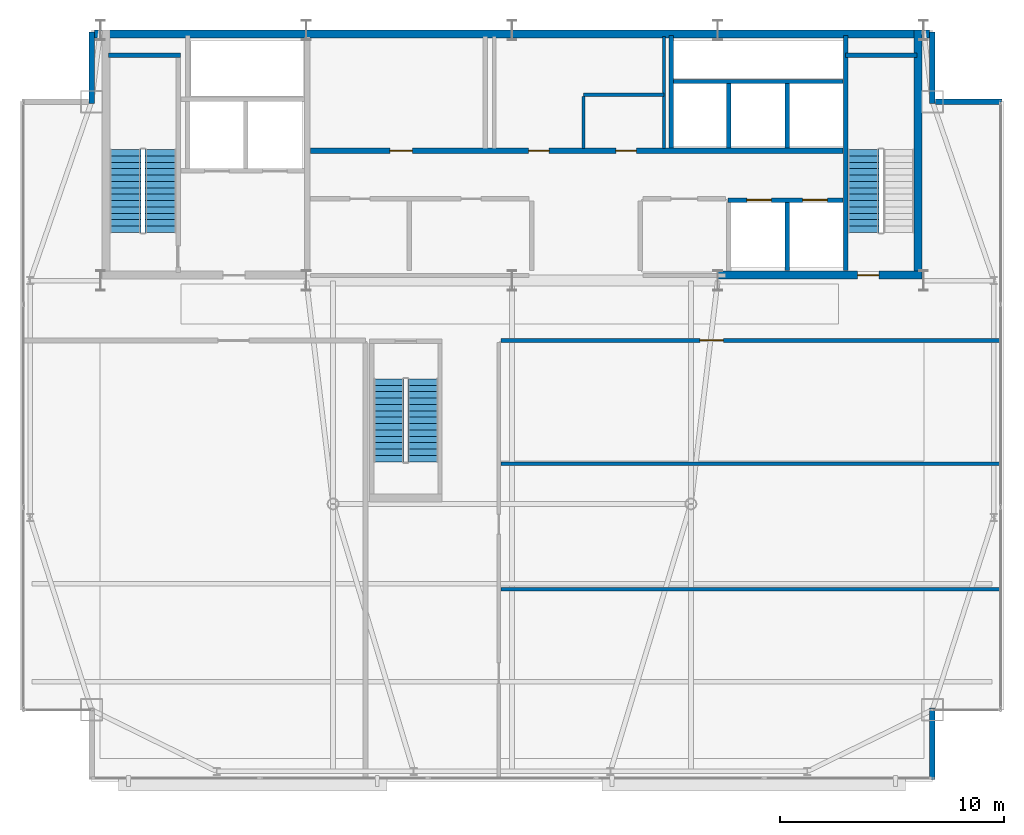
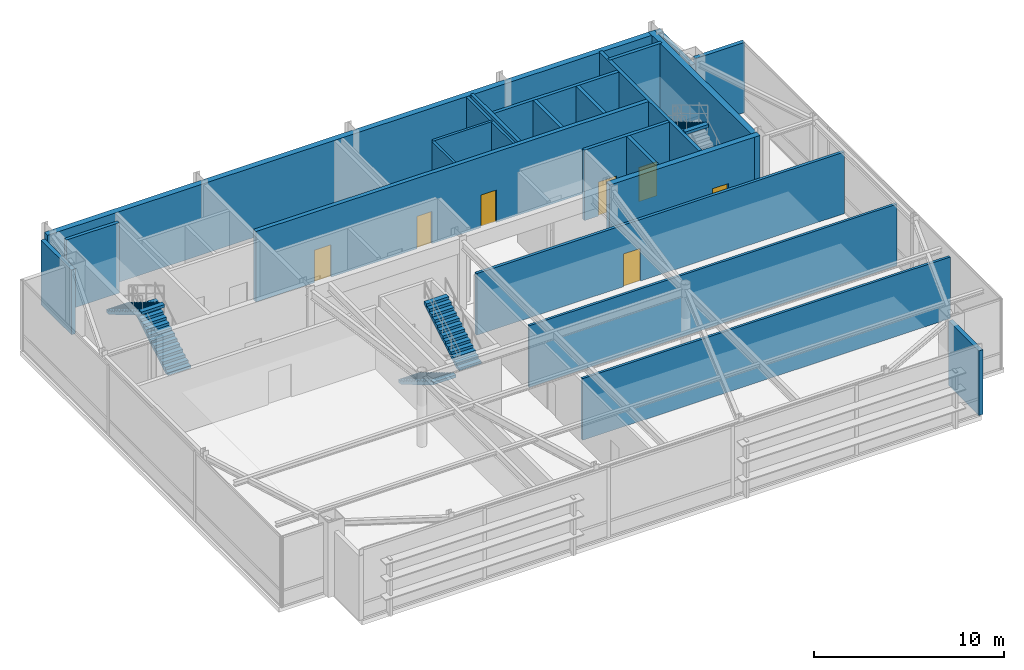
# One storey, part 19 of 21: 23 walls, 7 doors, 5 stair flights, 7 openings, 3 elements without a shape of their own.
"""IFC4 building model written with IfcOpenShell, lengths in metres."""

from ifc_helpers import new_model, si_unit, direction, frame, frame_2d, origin, place, context, subcontext, project, spatial, polyline, rectangle, outline, extrude, source, transform, mapped, material, layer, layer_set, type_object, type_shapes, element, fill, aggregate, save


model = new_model("IFC4")

# Units and contexts
model_context = context("Model", 3, precision=1e-05, world=origin(), true_north=direction((0.0, 1.0)))
body_context = subcontext(model_context, "Body", "Model", "MODEL_VIEW")
ifc_project = project(units=[si_unit("LENGTHUNIT", "METRE"), si_unit("AREAUNIT", "SQUARE_METRE"), si_unit("VOLUMEUNIT", "CUBIC_METRE"), si_unit("PLANEANGLEUNIT", "RADIAN"), si_unit("MASSUNIT", "GRAM", prefix="KILO")], contexts=[model_context])

# Site, building, storey
site_placement = place(None, origin())
site = spatial("IfcSite", under=ifc_project, at=site_placement, CompositionType="ELEMENT")
building_placement = place(site_placement, origin())
building = spatial("IfcBuilding", under=site, at=building_placement, Name="Varnel Quay Broadcast Tower", CompositionType="ELEMENT")
storey_placement = place(building_placement, frame((0.0, 0.0, 300.199951171875)))
storey = spatial("IfcBuildingStorey", under=building, at=storey_placement, Name="L75", CompositionType="ELEMENT", Elevation=300.199951171875)

# Walls
ifc_material_1 = material(Name="Concrete CSA A23.3 C50/60", Category="concrete")
ifc_layer_1 = layer(ifc_material_1, 0.199951171875, Name="Concrete CSA A23.3 C50/60")
ifc_layer_set_1 = layer_set([ifc_layer_1], Name="Concrete CSA A23.3 C50/60")
wall_type_1 = type_object("IfcWallType", Name="Wall_CoreShaftShear200", PredefinedType="SHEAR", material=ifc_layer_set_1)
wall_1_placement = place(storey_placement, frame((15.949951171875, 45.679931640625, 0.0), z_axis=(0.0, 0.0, 1.0), x_axis=(1.0, 0.0, 0.0)))
element("IfcWall", 1, at=wall_1_placement, inside=storey, type_object=wall_type_1, Name="L75 Stair 1 North Structural Wall", PredefinedType="SHEAR", context=body_context, shape_type="SweptSolid", body=[
    extrude(rectangle(XDim=3.22998046875, YDim=0.199951171875, at=frame_2d((1.614990234375, 0.0))), origin(), (0.0, 0.0, 1.0), 4.52001953125),
])
wall_2_placement = place(storey_placement, frame((48.919921875, 36.050048828125, 0.0), z_axis=(0.0, 0.0, 1.0), x_axis=(0.0, 1.0, 0.0)))
element("IfcWall", 2, at=wall_2_placement, inside=storey, type_object=wall_type_1, Name="L75 Stair 2 West Structural Wall", PredefinedType="SHEAR", context=body_context, shape_type="SweptSolid", body=[
    extrude(rectangle(XDim=10.5, YDim=0.199951171875, at=frame_2d((5.25, 0.0))), origin(), (0.0, 0.0, 1.0), 4.52001953125),
])
wall_3_placement = place(storey_placement, frame((48.919921875, 45.679931640625, 0.0), z_axis=(0.0, 0.0, 1.0), x_axis=(1.0, 0.0, 0.0)))
element("IfcWall", 3, at=wall_3_placement, inside=storey, type_object=wall_type_1, Name="L75 Stair 2 North Structural Wall", PredefinedType="SHEAR", context=body_context, shape_type="SweptSolid", body=[
    extrude(rectangle(XDim=3.18017578125, YDim=0.199951171875, at=frame_2d((1.590087890625, 0.0))), origin(), (0.0, 0.0, 1.0), 4.52001953125),
])
wall_4_placement = place(storey_placement, frame((41.219970703125, 44.5, 0.0), z_axis=(0.0, 0.0, 1.0), x_axis=(1.0, 0.0, 0.0)))
element("IfcWall", 4, at=wall_4_placement, inside=storey, type_object=wall_type_1, Name="L75 High-Rise Lift Shaft Rear Wall", PredefinedType="SHEAR", context=body_context, shape_type="SweptSolid", body=[
    extrude(rectangle(XDim=7.580078125, YDim=0.199951171875, at=frame_2d((3.7900390625, 0.0))), origin(), (0.0, 0.0, 1.0), 4.52001953125),
])
wall_5_placement = place(storey_placement, frame((41.1201171875, 41.530029296875, 0.0), z_axis=(0.0, 0.0, 1.0), x_axis=(0.0, 1.0, 0.0)))
element("IfcWall", 5, at=wall_5_placement, inside=storey, type_object=wall_type_1, Name="L75 High-Rise Lift Shaft Divider 1", PredefinedType="SHEAR", context=body_context, shape_type="SweptSolid", body=[
    extrude(rectangle(XDim=5.02001953125, YDim=0.199951171875, at=frame_2d((2.510009765625, 0.0))), origin(), (0.0, 0.0, 1.0), 4.52001953125),
])
for number, where, z_axis, x_axis, name in (
    (6, (43.699951171875, 41.530029296875, 0.0), (0.0, 0.0, 1.0), (0.0, 1.0, 0.0), "L75 High-Rise Lift Shaft Divider 2"),
    (7, (46.300048828125, 41.530029296875, 0.0), (0.0, 0.0, 1.0), (0.0, 1.0, 0.0), "L75 High-Rise Lift Shaft Divider 3"),
):
    element("IfcWall", number, at=place(storey_placement, frame(where, z_axis=z_axis, x_axis=x_axis)), inside=storey, type_object=wall_type_1, Name=name, PredefinedType="SHEAR", context=body_context, shape_type="SweptSolid", body=[
        extrude(rectangle(XDim=2.869873046875, YDim=0.199951171875, at=frame_2d((1.43505859375, 0.0))), origin(), (0.0, 0.0, 1.0), 4.52001953125),
    ])
wall_6_placement = place(storey_placement, frame((46.300048828125, 36.050048828125, 0.0), z_axis=(0.0, 0.0, 1.0), x_axis=(0.0, 1.0, 0.0)))
element("IfcWall", 8, at=wall_6_placement, inside=storey, type_object=wall_type_1, Name="L75 Express Lift Shaft Divider", PredefinedType="SHEAR", context=body_context, shape_type="SweptSolid", body=[
    extrude(rectangle(XDim=3.050048828125, YDim=0.199951171875, at=frame_2d((1.52490234375, 0.0))), origin(), (0.0, 0.0, 1.0), 4.52001953125),
])

# Wall, openings, doors
wall_7_placement = place(storey_placement, frame((43.64990234375, 39.199951171875, 0.0), z_axis=(0.0, 0.0, 1.0), x_axis=(1.0, 0.0, 0.0)))
wall_7 = element("IfcWall", 9, at=wall_7_placement, inside=storey, type_object=wall_type_1, Name="L75 Express Lift Shaft North Front Wall", PredefinedType="SHEAR", context=body_context, shape_type="SweptSolid", body=[
    extrude(rectangle(XDim=5.150146484375, YDim=0.199951171875, at=frame_2d((2.5751953125, 0.0))), origin(), (0.0, 0.0, 1.0), 4.52001953125),
])
opening_1_placement = place(wall_7_placement, frame((0.85009765625, 0.0, 0.0)))
opening_1 = element("IfcOpeningElement", 10, at=opening_1_placement, cuts=wall_7, Name="Opening LD-L75-PO1", PredefinedType="OPENING", context=body_context, shape_type="SweptSolid", body=[
    extrude(rectangle(XDim=1.10009765625, YDim=2.179931640625, at=frame_2d((0.550048828125, 1.08984375))), frame((0.0, 0.10986328125, 0.0), z_axis=(0.0, -1.0, 0.0), x_axis=(1.0, 0.0, 0.0)), (0.0, 0.0, 1.0), 0.219970703125),
])
opening_2_placement = place(wall_7_placement, frame((3.35009765625, 0.0, 0.0)))
opening_2 = element("IfcOpeningElement", 11, at=opening_2_placement, cuts=wall_7, Name="Opening LD-L75-PO2", PredefinedType="OPENING", context=body_context, shape_type="SweptSolid", body=[
    extrude(rectangle(XDim=1.10009765625, YDim=2.179931640625, at=frame_2d((0.550048828125, 1.08984375))), frame((0.0, 0.10986328125, 0.0), z_axis=(0.0, -1.0, 0.0), x_axis=(1.0, 0.0, 0.0)), (0.0, 0.0, 1.0), 0.219970703125),
])
ifc_material_2 = material(Name="Brushed Bronze-Stainless Lift Car & Sliding Doors", Category="steel")
door_type_1 = type_object("IfcDoorType", Name="Door_LiftLanding1100", OperationType="SLIDING_TO_LEFT", PredefinedType="DOOR", material=ifc_material_2)
shared_shape_1 = source(origin(), body_context, "Body", "SweptSolid", [
    extrude(rectangle(XDim=1.10009765625, YDim=2.179931640625, at=frame_2d((0.550048828125, 1.08984375))), frame((0.0, 0.02490234375, 0.0), z_axis=(0.0, -1.0, 0.0), x_axis=(1.0, 0.0, 0.0)), (0.0, 0.0, 1.0), 0.050048828125),
])
type_shapes(door_type_1, [shared_shape_1])
door_1_placement = place(opening_1_placement, origin())
door_1 = element("IfcDoor", 12, at=door_1_placement, inside=storey, type_object=door_type_1, Name="L75 Express Lift PO-01 Landing Door", OperationType="SLIDING_TO_LEFT", OverallHeight=2.179931640625, OverallWidth=1.10009765625, PredefinedType="DOOR", context=body_context, shape_type="MappedRepresentation", body=[
    mapped(shared_shape_1, transform((0.0, 0.0, 0.0), x_axis=(1.0, 0.0, 0.0), y_axis=(0.0, 1.0, 0.0), z_axis=(0.0, 0.0, 1.0), scale=1.0)),
])
fill(opening_1, door_1)
door_2_placement = place(opening_2_placement, origin())
door_2 = element("IfcDoor", 13, at=door_2_placement, inside=storey, type_object=door_type_1, Name="L75 Express Lift PO-02 Landing Door", OperationType="SLIDING_TO_RIGHT", OverallHeight=2.179931640625, OverallWidth=1.10009765625, PredefinedType="DOOR", context=body_context, shape_type="MappedRepresentation", body=[
    mapped(shared_shape_1, transform((0.0, 0.0, 0.0), x_axis=(1.0, 0.0, 0.0), y_axis=(0.0, 1.0, 0.0), z_axis=(0.0, 0.0, 1.0), scale=1.0)),
])
fill(opening_2, door_2)

ifc_layer_2 = layer(ifc_material_1, 0.25, Name="Concrete CSA A23.3 C50/60")
ifc_layer_set_2 = layer_set([ifc_layer_2], Name="Concrete CSA A23.3 C50/60")
wall_type_2 = type_object("IfcWallType", Name="Wall_CoreShaftShear250", PredefinedType="SHEAR", material=ifc_layer_set_2)
wall_8_placement = place(storey_placement, frame((24.97998046875, 41.39990234375, 0.0), z_axis=(0.0, 0.0, 1.0), x_axis=(1.0, 0.0, 0.0)))
wall_8 = element("IfcWall", 14, at=wall_8_placement, inside=storey, type_object=wall_type_2, Name="L75 North Lift Bank & Reclaimed Suite Wall", PredefinedType="SHEAR", context=body_context, shape_type="SweptSolid", body=[
    extrude(rectangle(XDim=23.820068359375, YDim=0.25, at=frame_2d((11.91015625, 0.0))), origin(), (0.0, 0.0, 1.0), 4.52001953125),
])
opening_3_placement = place(wall_8_placement, frame((3.56005859375, 0.0, 0.0)))
opening_3 = element("IfcOpeningElement", 15, at=opening_3_placement, cuts=wall_8, Name="Opening D-L75-RECA1", PredefinedType="OPENING", context=body_context, shape_type="SweptSolid", body=[
    extrude(rectangle(XDim=1.0, YDim=2.080078125, at=frame_2d((0.5, 1.0400390625))), frame((0.0, 0.135009765625, 0.0), z_axis=(0.0, -1.0, 0.0), x_axis=(1.0, 0.0, 0.0)), (0.0, 0.0, 1.0), 0.27001953125),
])
opening_4_placement = place(wall_8_placement, frame((9.760009765625, 0.0, 0.0)))
opening_4 = element("IfcOpeningElement", 16, at=opening_4_placement, cuts=wall_8, Name="Opening D-L75-RECB1", PredefinedType="OPENING", context=body_context, shape_type="SweptSolid", body=[
    extrude(rectangle(XDim=0.919921875, YDim=2.080078125, at=frame_2d((0.4599609375, 1.0400390625))), frame((0.0, 0.135009765625, 0.0), z_axis=(0.0, -1.0, 0.0), x_axis=(1.0, 0.0, 0.0)), (0.0, 0.0, 1.0), 0.27001953125),
])
opening_5_placement = place(wall_8_placement, frame((13.659912109375, 0.0, 0.0)))
opening_5 = element("IfcOpeningElement", 17, at=opening_5_placement, cuts=wall_8, Name="Opening D-L75-RECB2", PredefinedType="OPENING", context=body_context, shape_type="SweptSolid", body=[
    extrude(rectangle(XDim=0.919921875, YDim=2.080078125, at=frame_2d((0.4599609375, 1.0400390625))), frame((0.0, 0.135009765625, 0.0), z_axis=(0.0, -1.0, 0.0), x_axis=(1.0, 0.0, 0.0)), (0.0, 0.0, 1.0), 0.27001953125),
])
ifc_material_3 = material(Name="Insulated Fire-Rated Hollow Steel Door", Category="steel")
door_type_2 = type_object("IfcDoorType", Name="Door_FireLobby1000", OperationType="NOTDEFINED", PredefinedType="DOOR", material=ifc_material_3)
shared_shape_2 = source(origin(), body_context, "Body", "SweptSolid", [
    extrude(rectangle(XDim=1.0, YDim=2.080078125, at=frame_2d((0.5, 1.0400390625))), frame((0.0, 0.02490234375, 0.0), z_axis=(0.0, -1.0, 0.0), x_axis=(1.0, 0.0, 0.0)), (0.0, 0.0, 1.0), 0.050048828125),
])
type_shapes(door_type_2, [shared_shape_2])
door_3_placement = place(opening_3_placement, origin())
door_3 = element("IfcDoor", 18, at=door_3_placement, inside=storey, type_object=door_type_2, Name="L75 Broadcast Ingest Server Hall Door", OperationType="SINGLE_SWING_LEFT", OverallHeight=2.080078125, OverallWidth=1.0, PredefinedType="DOOR", context=body_context, shape_type="MappedRepresentation", body=[
    mapped(shared_shape_2, transform((0.0, 0.0, 0.0), x_axis=(1.0, 0.0, 0.0), y_axis=(0.0, 1.0, 0.0), z_axis=(0.0, 0.0, 1.0), scale=1.0)),
])
fill(opening_3, door_3)
ifc_material_4 = material(Name="Solid-Core Fire-Rated Acoustic Oak Veneer Door", Category="wood")
door_type_3 = type_object("IfcDoorType", Name="Door_Office920", OperationType="NOTDEFINED", PredefinedType="DOOR", material=ifc_material_4)
shared_shape_3 = source(origin(), body_context, "Body", "SweptSolid", [
    extrude(rectangle(XDim=0.919921875, YDim=2.080078125, at=frame_2d((0.4599609375, 1.0400390625))), frame((0.0, 0.02490234375, 0.0), z_axis=(0.0, -1.0, 0.0), x_axis=(1.0, 0.0, 0.0)), (0.0, 0.0, 1.0), 0.050048828125),
])
type_shapes(door_type_3, [shared_shape_3])
door_4_placement = place(opening_4_placement, origin())
door_4 = element("IfcDoor", 19, at=door_4_placement, inside=storey, type_object=door_type_3, Name="L75 Acoustic Rack & Patch Suite Door", OperationType="SINGLE_SWING_RIGHT", OverallHeight=2.080078125, OverallWidth=0.919921875, PredefinedType="DOOR", context=body_context, shape_type="MappedRepresentation", body=[
    mapped(shared_shape_3, transform((0.0, 0.0, 0.0), x_axis=(1.0, 0.0, 0.0), y_axis=(0.0, 1.0, 0.0), z_axis=(0.0, 0.0, 1.0), scale=1.0)),
])
fill(opening_4, door_4)
door_5_placement = place(opening_5_placement, origin())
door_5 = element("IfcDoor", 20, at=door_5_placement, inside=storey, type_object=door_type_3, Name="L75 Production Tea Pantry Door", OperationType="SINGLE_SWING_LEFT", OverallHeight=2.080078125, OverallWidth=0.919921875, PredefinedType="DOOR", context=body_context, shape_type="MappedRepresentation", body=[
    mapped(shared_shape_3, transform((0.0, 0.0, 0.0), x_axis=(1.0, 0.0, 0.0), y_axis=(0.0, 1.0, 0.0), z_axis=(0.0, 0.0, 1.0), scale=1.0)),
])
fill(opening_5, door_5)

# Walls
ifc_layer_3 = layer(ifc_material_1, 0.35009765625, Name="Concrete CSA A23.3 C50/60")
ifc_layer_set_3 = layer_set([ifc_layer_3], Name="Concrete CSA A23.3 C50/60")
wall_type_3 = type_object("IfcWallType", Name="Wall_CoreShearExt350", PredefinedType="SHEAR", material=ifc_layer_set_3)
wall_9_placement = place(storey_placement, frame((15.324951171875, 46.625, 0.0), z_axis=(0.0, 0.0, 1.0), x_axis=(1.0, 0.0, 0.0)))
element("IfcWall", 21, at=wall_9_placement, inside=storey, type_object=wall_type_3, Name="L75 North Core Shear Wall", PredefinedType="SHEAR", context=body_context, shape_type="SweptSolid", body=[
    extrude(rectangle(XDim=37.35009765625, YDim=0.35009765625, at=frame_2d((18.675048828125, 0.0))), origin(), (0.0, 0.0, 1.0), 4.52001953125),
])
ifc_layer_4 = layer(ifc_material_1, 0.35009765625, Name="Concrete CSA A23.3 C50/60")
ifc_layer_set_4 = layer_set([ifc_layer_4], Name="Concrete CSA A23.3 C50/60")
wall_type_4 = type_object("IfcWallType", Name="Wall_CoreShearInt350", PredefinedType="SHEAR", material=ifc_layer_set_4)
wall_10_placement = place(storey_placement, frame((52.155029296875, 35.669921875, 0.0), z_axis=(0.0, 0.0, 1.0), x_axis=(0.0, 1.0, 0.0)))
element("IfcWall", 22, at=wall_10_placement, inside=storey, type_object=wall_type_4, Name="L75 East Core Shear Wall", PredefinedType="SHEAR", context=body_context, shape_type="SweptSolid", body=[
    extrude(rectangle(XDim=11.130126953125, YDim=0.35009765625, at=frame_2d((5.56494140625, 0.0))), origin(), (0.0, 0.0, 1.0), 4.52001953125),
])

# Wall, opening, door
wall_11_placement = place(storey_placement, frame((43.199951171875, 35.844970703125, 0.0), z_axis=(0.0, 0.0, 1.0), x_axis=(1.0, 0.0, 0.0)))
wall_11 = element("IfcWall", 23, at=wall_11_placement, inside=storey, type_object=wall_type_4, Name="L75 South-East Core Shear Wall", PredefinedType="SHEAR", context=body_context, shape_type="SweptSolid", body=[
    extrude(rectangle(XDim=9.130126953125, YDim=0.35009765625, at=frame_2d((4.56494140625, 0.0))), origin(), (0.0, 0.0, 1.0), 4.52001953125),
])
opening_6_placement = place(wall_11_placement, frame((6.25, 0.0, 0.0)))
opening_6 = element("IfcOpeningElement", 24, at=opening_6_placement, cuts=wall_11, Name="Opening D-L75-S2", PredefinedType="OPENING", context=body_context, shape_type="SweptSolid", body=[
    extrude(rectangle(XDim=0.949951171875, YDim=2.10009765625, at=frame_2d((0.47509765625, 1.050048828125))), frame((0.0, 0.18505859375, 0.0), z_axis=(0.0, -1.0, 0.0), x_axis=(1.0, 0.0, 0.0)), (0.0, 0.0, 1.0), 0.3701171875),
])
door_type_4 = type_object("IfcDoorType", Name="Door_FireStair950", OperationType="NOTDEFINED", PredefinedType="DOOR", material=ifc_material_3)
shared_shape_4 = source(origin(), body_context, "Body", "SweptSolid", [
    extrude(rectangle(XDim=0.949951171875, YDim=2.10009765625, at=frame_2d((0.47509765625, 1.050048828125))), frame((0.0, 0.02490234375, 0.0), z_axis=(0.0, -1.0, 0.0), x_axis=(1.0, 0.0, 0.0)), (0.0, 0.0, 1.0), 0.050048828125),
])
type_shapes(door_type_4, [shared_shape_4])
door_6_placement = place(opening_6_placement, origin())
door_6 = element("IfcDoor", 25, at=door_6_placement, inside=storey, type_object=door_type_4, Name="L75 Stair 2 Fire Door", OperationType="SINGLE_SWING_RIGHT", OverallHeight=2.10009765625, OverallWidth=0.949951171875, PredefinedType="DOOR", context=body_context, shape_type="MappedRepresentation", body=[
    mapped(shared_shape_4, transform((0.0, 0.0, 0.0), x_axis=(1.0, 0.0, 0.0), y_axis=(0.0, 1.0, 0.0), z_axis=(0.0, 0.0, 1.0), scale=1.0)),
])
fill(opening_6, door_6)

# Walls
ifc_material_5 = material(Name="Precast Architectural Concrete C40/50", Category="concrete")
ifc_layer_5 = layer(ifc_material_5, 0.25, Name="Precast Architectural Concrete C40/50")
ifc_layer_set_5 = layer_set([ifc_layer_5], Name="Precast Architectural Concrete C40/50")
wall_type_5 = type_object("IfcWallType", Name="Wall_ExtTerrace250", PredefinedType="SOLIDWALL", material=ifc_layer_set_5)
for number, where, z_axis, x_axis, name in (
    (26, (52.800048828125, 13.280029296875, 0.0), (0.0, 0.0, 1.0), (0.0, 1.0, 0.0), "L75 Mega-Column Notch Cladding Wall NSE2"),
    (27, (15.199951171875, 43.52001953125, 0.0), (0.0, 0.0, 1.0), (0.0, 1.0, 0.0), "L75 Mega-Column Notch Cladding Wall NNW2"),
):
    element("IfcWall", number, at=place(storey_placement, frame(where, z_axis=z_axis, x_axis=x_axis)), inside=storey, type_object=wall_type_5, Name=name, PredefinedType="SOLIDWALL", context=body_context, shape_type="SweptSolid", body=[
        extrude(rectangle(XDim=3.199951171875, YDim=0.25, at=frame_2d((1.60009765625, 0.0))), origin(), (0.0, 0.0, 1.0), 4.14111328125),
    ])
wall_12_placement = place(storey_placement, frame((52.929931640625, 43.60009765625, 0.0), z_axis=(0.0, 0.0, 1.0), x_axis=(1.0, 0.0, 0.0)))
element("IfcWall", 28, at=wall_12_placement, inside=storey, type_object=wall_type_5, Name="L75 Mega-Column Notch Cladding Wall NNE1", PredefinedType="SOLIDWALL", context=body_context, shape_type="SweptSolid", body=[
    extrude(rectangle(XDim=2.989990234375, YDim=0.25, at=frame_2d((1.4951171875, 0.0))), origin(), (0.0, 0.0, 1.0), 4.5),
])
wall_13_placement = place(storey_placement, frame((52.800048828125, 43.52001953125, 0.0), z_axis=(0.0, 0.0, 1.0), x_axis=(0.0, 1.0, 0.0)))
element("IfcWall", 29, at=wall_13_placement, inside=storey, type_object=wall_type_5, Name="L75 Mega-Column Notch Cladding Wall NNE2", PredefinedType="SOLIDWALL", context=body_context, shape_type="SweptSolid", body=[
    extrude(rectangle(XDim=3.199951171875, YDim=0.25, at=frame_2d((1.60009765625, 0.0))), origin(), (0.0, 0.0, 1.0), 4.14111328125),
])
ifc_material_6 = material(Name="Steel-Stud Fire-Rated Acoustic Gypsum Partition Assembly", Category="steel")
ifc_layer_6 = layer(ifc_material_6, 0.14990234375, Name="Steel-Stud Fire-Rated Acoustic Gypsum Partition Assembly")
ifc_layer_set_6 = layer_set([ifc_layer_6], Name="Steel-Stud Fire-Rated Acoustic Gypsum Partition Assembly")
wall_type_6 = type_object("IfcWallType", Name="Wall_Partition150", PredefinedType="PARTITIONING", material=ifc_layer_set_6)
for number, where, z_axis, x_axis, name in (
    (30, (33.5, 21.800048828125, 0.0), (0.0, 0.0, 1.0), (1.0, 0.0, 0.0), "L75 Broadcast History Exhibition Hall Partition 10"),
    (31, (33.5, 27.39990234375, 0.0), (0.0, 0.0, 1.0), (1.0, 0.0, 0.0), "L75 Sky Viewing Cafe & Servery Partition 12"),
):
    element("IfcWall", number, at=place(storey_placement, frame(where, z_axis=z_axis, x_axis=x_axis)), inside=storey, type_object=wall_type_6, Name=name, PredefinedType="PARTITIONING", context=body_context, shape_type="SweptSolid", body=[
        extrude(rectangle(XDim=22.320068359375, YDim=0.14990234375, at=frame_2d((11.16015625, 0.0))), origin(), (0.0, 0.0, 1.0), 3.950927734375),
    ])
wall_14_placement = place(storey_placement, frame((37.199951171875, 41.5, 0.0), z_axis=(0.0, 0.0, 1.0), x_axis=(0.0, 1.0, 0.0)))
element("IfcWall", 32, at=wall_14_placement, inside=storey, type_object=wall_type_6, Name="L75 Acoustic Rack & Patch Suite Partition 15", PredefinedType="PARTITIONING", context=body_context, shape_type="SweptSolid", body=[
    extrude(rectangle(XDim=2.324951171875, YDim=0.14990234375, at=frame_2d((1.16259765625, 0.0))), origin(), (0.0, 0.0, 1.0), 4.5),
])
wall_15_placement = place(storey_placement, frame((37.199951171875, 43.89990234375, 0.0), z_axis=(0.0, 0.0, 1.0), x_axis=(1.0, 0.0, 0.0)))
element("IfcWall", 33, at=wall_15_placement, inside=storey, type_object=wall_type_6, Name="L75 Acoustic Rack & Patch Suite Partition 16", PredefinedType="PARTITIONING", context=body_context, shape_type="SweptSolid", body=[
    extrude(rectangle(XDim=3.60009765625, YDim=0.14990234375, at=frame_2d((1.800048828125, 0.0))), origin(), (0.0, 0.0, 1.0), 4.5),
])
wall_16_placement = place(storey_placement, frame((40.800048828125, 41.5, 0.0), z_axis=(0.0, 0.0, 1.0), x_axis=(0.0, 1.0, 0.0)))
element("IfcWall", 34, at=wall_16_placement, inside=storey, type_object=wall_type_6, Name="L75 Acoustic Rack & Patch Suite Partition 17", PredefinedType="PARTITIONING", context=body_context, shape_type="SweptSolid", body=[
    extrude(rectangle(XDim=5.02001953125, YDim=0.14990234375, at=frame_2d((2.510009765625, 0.0))), origin(), (0.0, 0.0, 1.0), 4.5),
])

# Wall, opening, door
ifc_layer_7 = layer(ifc_material_6, 0.175048828125, Name="Steel-Stud Fire-Rated Acoustic Gypsum Partition Assembly")
ifc_layer_set_7 = layer_set([ifc_layer_7], Name="Steel-Stud Fire-Rated Acoustic Gypsum Partition Assembly")
wall_type_7 = type_object("IfcWallType", Name="Wall_Partition175", PredefinedType="PARTITIONING", material=ifc_layer_set_7)
wall_17_placement = place(storey_placement, frame((33.5, 32.925048828125, 0.0), z_axis=(0.0, 0.0, 1.0), x_axis=(1.0, 0.0, 0.0)))
wall_17 = element("IfcWall", 35, at=wall_17_placement, inside=storey, type_object=wall_type_7, Name="L75 Visitor Orientation Theatre Partition 13", PredefinedType="PARTITIONING", context=body_context, shape_type="SweptSolid", body=[
    extrude(rectangle(XDim=22.320068359375, YDim=0.175048828125, at=frame_2d((11.16015625, 0.0))), origin(), (0.0, 0.0, 1.0), 3.950927734375),
])
opening_7_placement = place(wall_17_placement, frame((8.89990234375, 0.0, 0.0)))
opening_7 = element("IfcOpeningElement", 36, at=opening_7_placement, cuts=wall_17, Name="Opening D-L75-07", PredefinedType="OPENING", context=body_context, shape_type="SweptSolid", body=[
    extrude(rectangle(XDim=1.050048828125, YDim=2.10009765625, at=frame_2d((0.52490234375, 1.050048828125))), frame((0.0, 0.09765625, 0.0), z_axis=(0.0, -1.0, 0.0), x_axis=(1.0, 0.0, 0.0)), (0.0, 0.0, 1.0), 0.195068359375),
])
door_type_5 = type_object("IfcDoorType", Name="Door_Meeting1050", OperationType="NOTDEFINED", PredefinedType="DOOR", material=ifc_material_4)
shared_shape_5 = source(origin(), body_context, "Body", "SweptSolid", [
    extrude(rectangle(XDim=1.050048828125, YDim=2.10009765625, at=frame_2d((0.52490234375, 1.050048828125))), frame((0.0, 0.02490234375, 0.0), z_axis=(0.0, -1.0, 0.0), x_axis=(1.0, 0.0, 0.0)), (0.0, 0.0, 1.0), 0.050048828125),
])
type_shapes(door_type_5, [shared_shape_5])
door_7_placement = place(opening_7_placement, frame((1.050048828125, 0.0, 0.0), z_axis=(0.0, 0.0, 1.0), x_axis=(-1.0, 0.0, 0.0)))
door_7 = element("IfcDoor", 37, at=door_7_placement, inside=storey, type_object=door_type_5, Name="L75 Visitor Orientation Theatre Door D-L75-07", OperationType="SINGLE_SWING_RIGHT", OverallHeight=2.10009765625, OverallWidth=1.050048828125, PredefinedType="DOOR", context=body_context, shape_type="MappedRepresentation", body=[
    mapped(shared_shape_5, transform((0.0, 0.0, 0.0), x_axis=(1.0, 0.0, 0.0), y_axis=(0.0, 1.0, 0.0), z_axis=(0.0, 0.0, 1.0), scale=1.0)),
])
fill(opening_7, door_7)

# Stair, stair flights
ifc_material_7 = material(Name="Precast Structural Concrete C40/50", Category="concrete")
stair_type_1 = type_object("IfcStairType", Name="Stair_ST-01", PredefinedType="HALF_TURN_STAIR", material=ifc_material_7)
stair_1_placement = place(storey_placement, origin())
stair_1 = element("IfcStair", 38, at=stair_1_placement, inside=storey, type_object=stair_type_1, Name="L75 West Core Exit Stair 1", PredefinedType="HALF_TURN_STAIR")
stair_flight_type_1 = type_object("IfcStairFlightType", Name="Flight_ST-01", PredefinedType="STRAIGHT", material=ifc_material_7)
stair_flight_1_placement = place(storey_placement, frame((18.300048828125, 37.75, 0.0), z_axis=(0.0, 0.0, 1.0), x_axis=(0.0, 1.0, 0.0)))
stair_flight_1 = element("IfcStairFlight", 39, at=stair_flight_1_placement, type_object=stair_flight_type_1, Name="ST-01 flight 1", NumberOfRisers=14, NumberOfTreads=13, PredefinedType="STRAIGHT", RiserHeight=0.171428571, TreadLength=0.285, context=body_context, shape_type="SweptSolid", body=[
    extrude(outline(polyline([(0.0, 0.0), (0.0, 0.17138671875), (0.284912109375, 0.17138671875), (0.284912109375, 0.3427734375), (0.570068359375, 0.3427734375), (0.570068359375, 0.514404296875), (0.85498046875, 0.514404296875), (0.85498046875, 0.685791015625), (1.139892578125, 0.685791015625), (1.139892578125, 0.857177734375), (1.425048828125, 0.857177734375), (1.425048828125, 1.028564453125), (1.7099609375, 1.028564453125), (1.7099609375, 1.199951171875), (1.9951171875, 1.199951171875), (1.9951171875, 1.371337890625), (2.280029296875, 1.371337890625), (2.280029296875, 1.54296875), (2.56494140625, 1.54296875), (2.56494140625, 1.71435546875), (2.85009765625, 1.71435546875), (2.85009765625, 1.8857421875), (3.135009765625, 1.8857421875), (3.135009765625, 2.05712890625), (3.419921875, 2.05712890625), (3.419921875, 2.228515625), (3.705078125, 2.228515625), (3.705078125, 2.39990234375), (3.705078125, 2.0537109375), (0.290771484375, 0.0), (0.0, 0.0)])), frame((0.0, 0.699951171875, 0.0), z_axis=(0.0, -1.0, 0.0), x_axis=(1.0, 0.0, 0.0)), (0.0, 0.0, 1.0), 1.39990234375),
])
stair_flight_2_placement = place(storey_placement, frame((16.699951171875, 41.455078125, 2.400146484375), z_axis=(0.0, 0.0, 1.0), x_axis=(0.0, -1.0, 0.0)))
stair_flight_2 = element("IfcStairFlight", 40, at=stair_flight_2_placement, type_object=stair_flight_type_1, Name="ST-01 flight 2", NumberOfRisers=14, NumberOfTreads=13, PredefinedType="STRAIGHT", RiserHeight=0.171428571, TreadLength=0.285, context=body_context, shape_type="SweptSolid", body=[
    extrude(outline(polyline([(0.0, 0.0), (0.0, 0.17138671875), (0.284912109375, 0.17138671875), (0.284912109375, 0.3427734375), (0.570068359375, 0.3427734375), (0.570068359375, 0.514404296875), (0.85498046875, 0.514404296875), (0.85498046875, 0.685791015625), (1.139892578125, 0.685791015625), (1.139892578125, 0.857177734375), (1.425048828125, 0.857177734375), (1.425048828125, 1.028564453125), (1.7099609375, 1.028564453125), (1.7099609375, 1.199951171875), (1.9951171875, 1.199951171875), (1.9951171875, 1.371337890625), (2.280029296875, 1.371337890625), (2.280029296875, 1.54296875), (2.56494140625, 1.54296875), (2.56494140625, 1.71435546875), (2.85009765625, 1.71435546875), (2.85009765625, 1.8857421875), (3.135009765625, 1.8857421875), (3.135009765625, 2.05712890625), (3.419921875, 2.05712890625), (3.419921875, 2.228515625), (3.705078125, 2.228515625), (3.705078125, 2.39990234375), (3.705078125, 2.0537109375), (0.290771484375, 0.0), (0.0, 0.0)])), frame((0.0, 0.699951171875, 0.0), z_axis=(0.0, -1.0, 0.0), x_axis=(1.0, 0.0, 0.0)), (0.0, 0.0, 1.0), 1.39990234375),
])
aggregate(stair_1, [stair_flight_1, stair_flight_2])

# Stair, stair flight
stair_type_2 = type_object("IfcStairType", Name="Stair_ST-02", PredefinedType="HALF_TURN_STAIR", material=ifc_material_7)
stair_2_placement = place(storey_placement, origin())
stair_2 = element("IfcStair", 41, at=stair_2_placement, inside=storey, type_object=stair_type_2, Name="L75 East Core Exit Stair 2", PredefinedType="HALF_TURN_STAIR")
stair_flight_type_2 = type_object("IfcStairFlightType", Name="Flight_ST-02", PredefinedType="STRAIGHT", material=ifc_material_7)
stair_flight_3_placement = place(storey_placement, frame((49.699951171875, 41.455078125, 2.400146484375), z_axis=(0.0, 0.0, 1.0), x_axis=(0.0, -1.0, 0.0)))
stair_flight_3 = element("IfcStairFlight", 42, at=stair_flight_3_placement, type_object=stair_flight_type_2, Name="ST-02 flight 2", NumberOfRisers=14, NumberOfTreads=13, PredefinedType="STRAIGHT", RiserHeight=0.171428571, TreadLength=0.285, context=body_context, shape_type="SweptSolid", body=[
    extrude(outline(polyline([(0.0, 0.0), (0.0, 0.17138671875), (0.284912109375, 0.17138671875), (0.284912109375, 0.3427734375), (0.570068359375, 0.3427734375), (0.570068359375, 0.514404296875), (0.85498046875, 0.514404296875), (0.85498046875, 0.685791015625), (1.139892578125, 0.685791015625), (1.139892578125, 0.857177734375), (1.425048828125, 0.857177734375), (1.425048828125, 1.028564453125), (1.7099609375, 1.028564453125), (1.7099609375, 1.199951171875), (1.9951171875, 1.199951171875), (1.9951171875, 1.371337890625), (2.280029296875, 1.371337890625), (2.280029296875, 1.54296875), (2.56494140625, 1.54296875), (2.56494140625, 1.71435546875), (2.85009765625, 1.71435546875), (2.85009765625, 1.8857421875), (3.135009765625, 1.8857421875), (3.135009765625, 2.05712890625), (3.419921875, 2.05712890625), (3.419921875, 2.228515625), (3.705078125, 2.228515625), (3.705078125, 2.39990234375), (3.705078125, 2.0537109375), (0.290771484375, 0.0), (0.0, 0.0)])), frame((0.0, 0.699951171875, 0.0), z_axis=(0.0, -1.0, 0.0), x_axis=(1.0, 0.0, 0.0)), (0.0, 0.0, 1.0), 1.39990234375),
])
aggregate(stair_2, [stair_flight_3])

# Stair, stair flights
stair_type_3 = type_object("IfcStairType", Name="Stair_ST-04", PredefinedType="HALF_TURN_STAIR", material=ifc_material_7)
stair_3_placement = place(storey_placement, origin())
stair_3 = element("IfcStair", 43, at=stair_3_placement, inside=storey, type_object=stair_type_3, Name="L75 Observation Gallery Stair 4", PredefinedType="HALF_TURN_STAIR")
stair_flight_type_3 = type_object("IfcStairFlightType", Name="Flight_ST-04", PredefinedType="STRAIGHT", material=ifc_material_7)
stair_flight_4_placement = place(storey_placement, frame((28.47509765625, 31.199951171875, 0.0), z_axis=(0.0, 0.0, 1.0), x_axis=(0.0, -1.0, 0.0)))
stair_flight_4 = element("IfcStairFlight", 44, at=stair_flight_4_placement, type_object=stair_flight_type_3, Name="ST-04 flight 1", NumberOfRisers=14, NumberOfTreads=13, PredefinedType="STRAIGHT", RiserHeight=0.171428571, TreadLength=0.285, context=body_context, shape_type="SweptSolid", body=[
    extrude(outline(polyline([(0.0, 0.0), (0.0, 0.17138671875), (0.284912109375, 0.17138671875), (0.284912109375, 0.3427734375), (0.570068359375, 0.3427734375), (0.570068359375, 0.514404296875), (0.85498046875, 0.514404296875), (0.85498046875, 0.685791015625), (1.139892578125, 0.685791015625), (1.139892578125, 0.857177734375), (1.425048828125, 0.857177734375), (1.425048828125, 1.028564453125), (1.7099609375, 1.028564453125), (1.7099609375, 1.199951171875), (1.9951171875, 1.199951171875), (1.9951171875, 1.371337890625), (2.280029296875, 1.371337890625), (2.280029296875, 1.54296875), (2.56494140625, 1.54296875), (2.56494140625, 1.71435546875), (2.85009765625, 1.71435546875), (2.85009765625, 1.8857421875), (3.135009765625, 1.8857421875), (3.135009765625, 2.05712890625), (3.419921875, 2.05712890625), (3.419921875, 2.228515625), (3.705078125, 2.228515625), (3.705078125, 2.39990234375), (3.705078125, 2.0537109375), (0.290771484375, 0.0), (0.0, 0.0)])), frame((0.0, 0.675048828125, 0.0), z_axis=(0.0, -1.0, 0.0), x_axis=(1.0, 0.0, 0.0)), (0.0, 0.0, 1.0), 1.35009765625),
])
stair_flight_5_placement = place(storey_placement, frame((30.02490234375, 27.4951171875, 2.400146484375), z_axis=(0.0, 0.0, 1.0), x_axis=(0.0, 1.0, 0.0)))
stair_flight_5 = element("IfcStairFlight", 45, at=stair_flight_5_placement, type_object=stair_flight_type_3, Name="ST-04 flight 2", NumberOfRisers=14, NumberOfTreads=13, PredefinedType="STRAIGHT", RiserHeight=0.171428571, TreadLength=0.285, context=body_context, shape_type="SweptSolid", body=[
    extrude(outline(polyline([(0.0, 0.0), (0.0, 0.17138671875), (0.284912109375, 0.17138671875), (0.284912109375, 0.3427734375), (0.570068359375, 0.3427734375), (0.570068359375, 0.514404296875), (0.85498046875, 0.514404296875), (0.85498046875, 0.685791015625), (1.139892578125, 0.685791015625), (1.139892578125, 0.857177734375), (1.425048828125, 0.857177734375), (1.425048828125, 1.028564453125), (1.7099609375, 1.028564453125), (1.7099609375, 1.199951171875), (1.9951171875, 1.199951171875), (1.9951171875, 1.371337890625), (2.280029296875, 1.371337890625), (2.280029296875, 1.54296875), (2.56494140625, 1.54296875), (2.56494140625, 1.71435546875), (2.85009765625, 1.71435546875), (2.85009765625, 1.8857421875), (3.135009765625, 1.8857421875), (3.135009765625, 2.05712890625), (3.419921875, 2.05712890625), (3.419921875, 2.228515625), (3.705078125, 2.228515625), (3.705078125, 2.39990234375), (3.705078125, 2.0537109375), (0.290771484375, 0.0), (0.0, 0.0)])), frame((0.0, 0.675048828125, 0.0), z_axis=(0.0, -1.0, 0.0), x_axis=(1.0, 0.0, 0.0)), (0.0, 0.0, 1.0), 1.35009765625),
])
aggregate(stair_3, [stair_flight_4, stair_flight_5])

save(model, "model.ifc")
